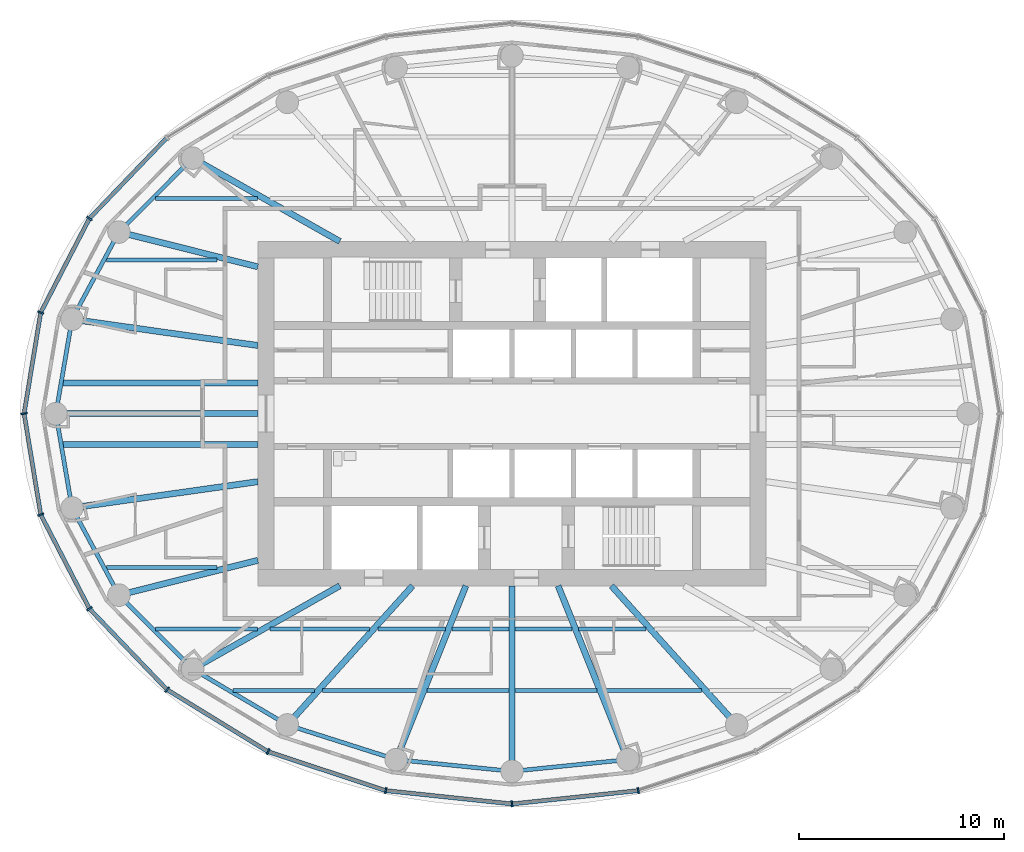
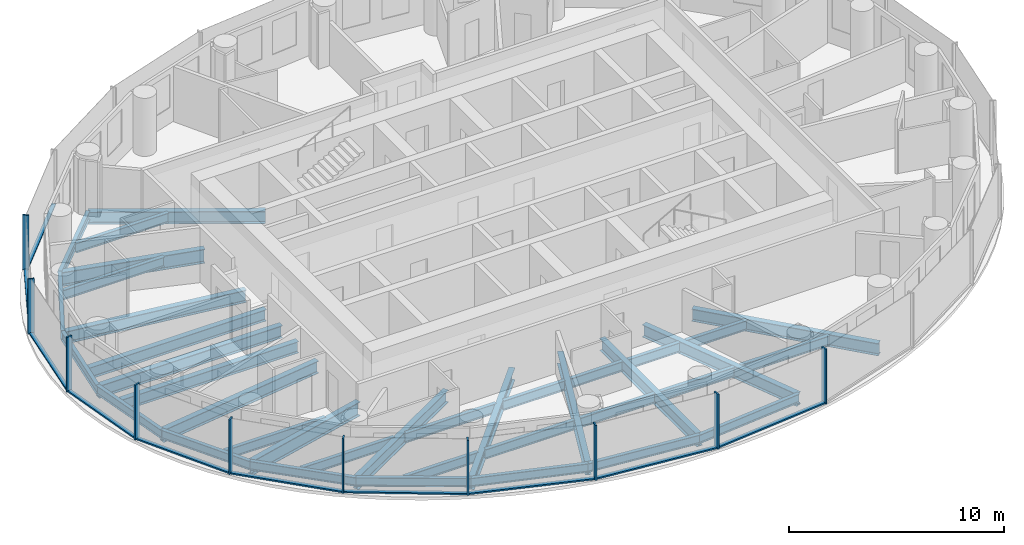
# One storey, part 2 of 16: 38 beams, 20 members, 3 elements without a shape of their own.
"""IFC4 building model written with IfcOpenShell, lengths in metres."""

from ifc_helpers import new_model, si_unit, direction, frame, origin, origin_2d, place, context, subcontext, project, spatial, rectangle, i_section, extrude, material, material_profile, profile_set, type_object, element, aggregate, save


model = new_model("IFC4")

# Units and contexts
model_context = context("Model", 3, precision=1e-05, world=origin(), true_north=direction((0.0, 1.0)))
body_context = subcontext(model_context, "Body", "Model", "MODEL_VIEW")
ifc_project = project(units=[si_unit("LENGTHUNIT", "METRE"), si_unit("AREAUNIT", "SQUARE_METRE"), si_unit("VOLUMEUNIT", "CUBIC_METRE"), si_unit("PLANEANGLEUNIT", "RADIAN"), si_unit("MASSUNIT", "GRAM", prefix="KILO")], contexts=[model_context])

# Site, building, storey
site_placement = place(None, origin())
site = spatial("IfcSite", under=ifc_project, at=site_placement, CompositionType="ELEMENT")
building_placement = place(site_placement, origin())
building = spatial("IfcBuilding", under=site, at=building_placement, Name="Hankou Lantern Tower", CompositionType="ELEMENT")
storey_placement = place(building_placement, frame((0.0, 0.0, 169.800048828125)))
storey = spatial("IfcBuildingStorey", under=building, at=storey_placement, Name="L45", CompositionType="ELEMENT", Elevation=169.800048828125)

# Beams
ifc_material_1 = material(Name="Steel Q355B", Category="steel")
ifc_material_profile_1 = material_profile(ifc_material_1, i_section(OverallWidth=0.199951171875, OverallDepth=0.5, WebThickness=0.010009765625, FlangeThickness=0.01611328125, FilletRadius=0.012939453125, at=origin_2d()), Name="HN500x200x10x16")
ifc_profile_set_1 = profile_set([ifc_material_profile_1], Name="Steel Q355B")
beam_type_1 = type_object("IfcBeamType", Name="EB5 RING BEAM HN500x200x10x16", PredefinedType="SPANDREL", material=ifc_profile_set_1)
beam_1_placement = place(storey_placement, frame((-15.576171875, 12.4609375, -0.429931640625), z_axis=(-0.706147278092, -0.708064984054, 0.0), x_axis=(0.708064984054, -0.706147278092, 0.0)))
element("IfcBeam", 1, at=beam_1_placement, inside=storey, type_object=beam_type_1, Name="Ring beam R10-R11 L45", PredefinedType="SPANDREL", context=body_context, shape_type="SweptSolid", body=[
    extrude(i_section(OverallWidth=0.199951171875, OverallDepth=0.5, WebThickness=0.010009765625, FlangeThickness=0.01611328125, FilletRadius=0.012939453125, at=origin_2d()), origin(), (0.0, 0.0, 1.0), 5.09228515625),
])
beam_2_placement = place(storey_placement, frame((-19.172119140625, 8.855224609375, -0.429931640625), z_axis=(-0.474051612334, -0.880497057828, 0.0), x_axis=(0.880497057828, -0.474051612334, 0.0)))
element("IfcBeam", 2, at=beam_2_placement, inside=storey, type_object=beam_type_1, Name="Ring beam R11-R12 L45", PredefinedType="SPANDREL", context=body_context, shape_type="SweptSolid", body=[
    extrude(i_section(OverallWidth=0.199951171875, OverallDepth=0.5, WebThickness=0.010009765625, FlangeThickness=0.01611328125, FilletRadius=0.012939453125, at=origin_2d()), origin(), (0.0, 0.0, 1.0), 4.831787109375),
])
for number, where, z_axis, x_axis, name in (
    (3, (-21.462646484375, 4.600830078125, -0.429931640625), (-0.168680718946, -0.985670743735, 0.0), (0.985670743735, -0.168680718946, 0.0), "Ring beam R12-R13 L45"),
    (4, (-22.25, 0.0, -0.429931640625), (0.168680718946, -0.985670743735, 0.0), (0.985670743735, 0.168680718946, 0.0), "Ring beam R13-R14 L45"),
):
    element("IfcBeam", number, at=place(storey_placement, frame(where, z_axis=z_axis, x_axis=x_axis)), inside=storey, type_object=beam_type_1, Name=name, PredefinedType="SPANDREL", context=body_context, shape_type="SweptSolid", body=[
        extrude(i_section(OverallWidth=0.199951171875, OverallDepth=0.5, WebThickness=0.010009765625, FlangeThickness=0.01611328125, FilletRadius=0.012939453125, at=origin_2d()), origin(), (0.0, 0.0, 1.0), 4.667724609375),
    ])
beam_3_placement = place(storey_placement, frame((-21.462646484375, -4.600830078125, -0.429931640625), z_axis=(0.474051612334, -0.880497057828, 0.0), x_axis=(0.880497057828, 0.474051612334, 0.0)))
element("IfcBeam", 5, at=beam_3_placement, inside=storey, type_object=beam_type_1, Name="Ring beam R14-R15 L45", PredefinedType="SPANDREL", context=body_context, shape_type="SweptSolid", body=[
    extrude(i_section(OverallWidth=0.199951171875, OverallDepth=0.5, WebThickness=0.010009765625, FlangeThickness=0.01611328125, FilletRadius=0.012939453125, at=origin_2d()), origin(), (0.0, 0.0, 1.0), 4.831787109375),
])
beam_4_placement = place(storey_placement, frame((-19.172119140625, -8.855224609375, -0.429931640625), z_axis=(0.706147278092, -0.708064984054, 0.0), x_axis=(0.708064984054, 0.706147278092, 0.0)))
element("IfcBeam", 6, at=beam_4_placement, inside=storey, type_object=beam_type_1, Name="Ring beam R15-R16 L45", PredefinedType="SPANDREL", context=body_context, shape_type="SweptSolid", body=[
    extrude(i_section(OverallWidth=0.199951171875, OverallDepth=0.5, WebThickness=0.010009765625, FlangeThickness=0.01611328125, FilletRadius=0.012939453125, at=origin_2d()), origin(), (0.0, 0.0, 1.0), 5.09228515625),
])
beam_5_placement = place(storey_placement, frame((-15.576171875, -12.4609375, -0.429931640625), z_axis=(0.861135888339, -0.508374843806, 0.0), x_axis=(0.508374843806, 0.861135888339, 0.0)))
element("IfcBeam", 7, at=beam_5_placement, inside=storey, type_object=beam_type_1, Name="Ring beam R16-R17 L45", PredefinedType="SPANDREL", context=body_context, shape_type="SweptSolid", body=[
    extrude(i_section(OverallWidth=0.199951171875, OverallDepth=0.5, WebThickness=0.010009765625, FlangeThickness=0.01611328125, FilletRadius=0.012939453125, at=origin_2d()), origin(), (0.0, 0.0, 1.0), 5.36083984375),
])
beam_6_placement = place(storey_placement, frame((-10.959716796875, -15.186279296875, -0.429931640625), z_axis=(0.952790404271, -0.30362879562, 0.0), x_axis=(0.30362879562, 0.952790404271, 0.0)))
element("IfcBeam", 8, at=beam_6_placement, inside=storey, type_object=beam_type_1, Name="Ring beam R17-R18 L45", PredefinedType="SPANDREL", context=body_context, shape_type="SweptSolid", body=[
    extrude(i_section(OverallWidth=0.199951171875, OverallDepth=0.5, WebThickness=0.010009765625, FlangeThickness=0.01611328125, FilletRadius=0.012939453125, at=origin_2d()), origin(), (0.0, 0.0, 1.0), 5.56982421875),
])
for number, where, z_axis, x_axis, name in (
    (9, (-5.65283203125, -16.87744140625, -0.429931640625), (0.9949104636, -0.100762936734, 0.0), (0.100762936734, 0.9949104636, 0.0), "Ring beam R18-R19 L45"),
    (10, (0.0, -17.449951171875, -0.429931640625), (0.9949104636, 0.100762936734, 0.0), (-0.100762936734, 0.9949104636, 0.0), "Ring beam R19-R20 L45"),
):
    element("IfcBeam", number, at=place(storey_placement, frame(where, z_axis=z_axis, x_axis=x_axis)), inside=storey, type_object=beam_type_1, Name=name, PredefinedType="SPANDREL", context=body_context, shape_type="SweptSolid", body=[
        extrude(i_section(OverallWidth=0.199951171875, OverallDepth=0.5, WebThickness=0.010009765625, FlangeThickness=0.01611328125, FilletRadius=0.012939453125, at=origin_2d()), origin(), (0.0, 0.0, 1.0), 5.681640625),
    ])

# Curtain wall, members
ifc_material_2 = material(Name="Glass, dark grey tinted laminated", Category="glass")
curtain_wall_type = type_object("IfcCurtainWallType", Name="CWC OUTER SKIN HIGH-RISE", PredefinedType="USERDEFINED", material=ifc_material_2)
curtain_wall_1_placement = place(storey_placement, origin())
curtain_wall_1 = element("IfcCurtainWall", 11, at=curtain_wall_1_placement, inside=storey, type_object=curtain_wall_type, Name="CWC L45 OS2", ObjectType="OUTER SKIN HIGH-RISE", PredefinedType="USERDEFINED")
ifc_material_3 = material(Name="Aluminium, black anodised", Category="aluminium")
ifc_material_profile_2 = material_profile(ifc_material_3, rectangle(XDim=0.080078125, YDim=0.300048828125, at=origin_2d()), Name="MU1 80X300")
ifc_profile_set_2 = profile_set([ifc_material_profile_2], Name="Aluminium, black anodised")
member_type_1 = type_object("IfcMemberType", Name="MU1 OUTER SKIN MULLION 80X300", PredefinedType="MULLION", material=ifc_profile_set_2)
member_1_placement = place(storey_placement, frame((-20.611328125, 9.52001953125, 0.0), z_axis=(0.0, 0.0, 1.0), x_axis=(-0.585205735974, -0.810884854084, 0.0)))
member_1 = element("IfcMember", 12, at=member_1_placement, type_object=member_type_1, Name="CWC mullion 5", PredefinedType="MULLION", context=body_context, shape_type="SweptSolid", body=[
    extrude(rectangle(XDim=0.080078125, YDim=0.300048828125, at=origin_2d()), origin(), (0.0, 0.0, 1.0), 3.119873046875),
])
member_2_placement = place(storey_placement, frame((-22.989013671875, 4.927978515625, 0.0), z_axis=(0.0, 0.0, 1.0), x_axis=(-0.317595577365, -0.94822626479, 0.0)))
member_2 = element("IfcMember", 13, at=member_2_placement, type_object=member_type_1, Name="CWC mullion 6", PredefinedType="MULLION", context=body_context, shape_type="SweptSolid", body=[
    extrude(rectangle(XDim=0.080078125, YDim=0.300048828125, at=origin_2d()), origin(), (0.0, 0.0, 1.0), 3.119873046875),
])

curtain_wall_2_placement = place(storey_placement, origin())
curtain_wall_2 = element("IfcCurtainWall", 14, at=curtain_wall_2_placement, inside=storey, type_object=curtain_wall_type, Name="CWC L45 OS3", ObjectType="OUTER SKIN HIGH-RISE", PredefinedType="USERDEFINED")
member_3_placement = place(storey_placement, frame((-23.800048828125, 0.0, 0.0), z_axis=(0.0, 0.0, 1.0), x_axis=(0.162381515188, -0.986728049427, 0.0)))
member_3 = element("IfcMember", 15, at=member_3_placement, type_object=member_type_1, Name="CWC mullion 1", PredefinedType="MULLION", context=body_context, shape_type="SweptSolid", body=[
    extrude(rectangle(XDim=0.080078125, YDim=0.300048828125, at=origin_2d()), origin(), (0.0, 0.0, 1.0), 3.119873046875),
])
member_4_placement = place(storey_placement, frame((-22.989013671875, -4.927978515625, 0.0), z_axis=(0.0, 0.0, 1.0), x_axis=(0.317595577365, -0.94822626479, 0.0)))
member_4 = element("IfcMember", 16, at=member_4_placement, type_object=member_type_1, Name="CWC mullion 2", PredefinedType="MULLION", context=body_context, shape_type="SweptSolid", body=[
    extrude(rectangle(XDim=0.080078125, YDim=0.300048828125, at=origin_2d()), origin(), (0.0, 0.0, 1.0), 3.119873046875),
])
member_5_placement = place(storey_placement, frame((-20.611328125, -9.52001953125, 0.0), z_axis=(0.0, 0.0, 1.0), x_axis=(0.585205735974, -0.810884854084, 0.0)))
member_5 = element("IfcMember", 17, at=member_5_placement, type_object=member_type_1, Name="CWC mullion 3", PredefinedType="MULLION", context=body_context, shape_type="SweptSolid", body=[
    extrude(rectangle(XDim=0.080078125, YDim=0.300048828125, at=origin_2d()), origin(), (0.0, 0.0, 1.0), 3.119873046875),
])
member_6_placement = place(storey_placement, frame((-16.8291015625, -13.46337890625, 0.0), z_axis=(0.0, 0.0, 1.0), x_axis=(0.780868809444, -0.624695047553, 0.0)))
member_6 = element("IfcMember", 18, at=member_6_placement, type_object=member_type_1, Name="CWC mullion 4", PredefinedType="MULLION", context=body_context, shape_type="SweptSolid", body=[
    extrude(rectangle(XDim=0.080078125, YDim=0.300048828125, at=origin_2d()), origin(), (0.0, 0.0, 1.0), 3.119873046875),
])
member_7_placement = place(storey_placement, frame((-11.89990234375, -16.489013671875, 0.0), z_axis=(0.0, 0.0, 1.0), x_axis=(0.907841299004, -0.419313934686, 0.0)))
member_7 = element("IfcMember", 19, at=member_7_placement, type_object=member_type_1, Name="CWC mullion 5", PredefinedType="MULLION", context=body_context, shape_type="SweptSolid", body=[
    extrude(rectangle(XDim=0.080078125, YDim=0.300048828125, at=origin_2d()), origin(), (0.0, 0.0, 1.0), 3.119873046875),
])
member_8_placement = place(storey_placement, frame((-6.159912109375, -18.39111328125, 0.0), z_axis=(0.0, 0.0, 1.0), x_axis=(0.977787659625, -0.209597931016, 0.0)))
member_8 = element("IfcMember", 20, at=member_8_placement, type_object=member_type_1, Name="CWC mullion 6", PredefinedType="MULLION", context=body_context, shape_type="SweptSolid", body=[
    extrude(rectangle(XDim=0.080078125, YDim=0.300048828125, at=origin_2d()), origin(), (0.0, 0.0, 1.0), 3.119873046875),
])

curtain_wall_3_placement = place(storey_placement, origin())
curtain_wall_3 = element("IfcCurtainWall", 21, at=curtain_wall_3_placement, inside=storey, type_object=curtain_wall_type, Name="CWC L45 OS4", ObjectType="OUTER SKIN HIGH-RISE", PredefinedType="USERDEFINED")
member_9_placement = place(storey_placement, frame((0.0, -19.0400390625, 0.0), z_axis=(0.0, 0.0, 1.0), x_axis=(0.994499359107, 0.104742659579, 0.0)))
member_9 = element("IfcMember", 22, at=member_9_placement, type_object=member_type_1, Name="CWC mullion 1", PredefinedType="MULLION", context=body_context, shape_type="SweptSolid", body=[
    extrude(rectangle(XDim=0.080078125, YDim=0.300048828125, at=origin_2d()), origin(), (0.0, 0.0, 1.0), 3.119873046875),
])
member_10_placement = place(storey_placement, frame((6.159912109375, -18.39111328125, 0.0), z_axis=(0.0, 0.0, 1.0), x_axis=(0.977787659625, 0.209597931016, 0.0)))
member_10 = element("IfcMember", 23, at=member_10_placement, type_object=member_type_1, Name="CWC mullion 2", PredefinedType="MULLION", context=body_context, shape_type="SweptSolid", body=[
    extrude(rectangle(XDim=0.080078125, YDim=0.300048828125, at=origin_2d()), origin(), (0.0, 0.0, 1.0), 3.119873046875),
])

# Beams
ifc_material_4 = material(Name="Steel Q355B", Category="steel")
ifc_material_profile_3 = material_profile(ifc_material_4, i_section(OverallWidth=0.300048828125, OverallDepth=0.800048828125, WebThickness=0.013916015625, FlangeThickness=0.02587890625, FilletRadius=0.01806640625, at=origin_2d()), Name="HN800x300x14x26")
ifc_profile_set_3 = profile_set([ifc_material_profile_3], Name="Steel Q355B")
beam_type_2 = type_object("IfcBeamType", Name="RB11 RADIAL BEAM HN800x300x14x26", PredefinedType="BEAM", material=ifc_profile_set_3)
for number, where, z_axis, x_axis, name in (
    (24, (-12.39990234375, 7.1591796875, -0.580078125), (-0.970041619568, 0.242938791274, 0.0), (-0.242938791274, -0.970041619568, 0.0), "Radial beam R11 L45"),
    (25, (-12.39990234375, -7.1591796875, -0.580078125), (-0.970041619568, -0.242938791274, 0.0), (0.242938791274, -0.970041619568, 0.0), "Radial beam R15 L45"),
):
    element("IfcBeam", number, at=place(storey_placement, frame(where, z_axis=z_axis, x_axis=x_axis)), inside=storey, type_object=beam_type_2, Name=name, PredefinedType="BEAM", context=body_context, shape_type="SweptSolid", body=[
        extrude(i_section(OverallWidth=0.300048828125, OverallDepth=0.800048828125, WebThickness=0.013916015625, FlangeThickness=0.02587890625, FilletRadius=0.01806640625, at=origin_2d()), origin(), (0.0, 0.0, 1.0), 6.9814453125),
    ])
ifc_material_5 = material(Name="Steel Q355B", Category="steel")
ifc_material_profile_4 = material_profile(ifc_material_5, i_section(OverallWidth=0.300048828125, OverallDepth=0.699951171875, WebThickness=0.012939453125, FlangeThickness=0.02392578125, FilletRadius=0.01806640625, at=origin_2d()), Name="HN700x300x13x24")
ifc_profile_set_4 = profile_set([ifc_material_profile_4], Name="Steel Q355B")
beam_type_3 = type_object("IfcBeamType", Name="RB9 RADIAL BEAM HN700x300x13x24", PredefinedType="BEAM", material=ifc_profile_set_4)
beam_7_placement = place(storey_placement, frame((-8.39990234375, 8.39990234375, -0.530029296875), z_axis=(-0.870309058024, 0.492505983234, 0.0), x_axis=(-0.492505983234, -0.870309058024, 0.0)))
element("IfcBeam", 26, at=beam_7_placement, inside=storey, type_object=beam_type_3, Name="Radial beam R10 L45", PredefinedType="BEAM", context=body_context, shape_type="SweptSolid", body=[
    extrude(i_section(OverallWidth=0.300048828125, OverallDepth=0.699951171875, WebThickness=0.012939453125, FlangeThickness=0.02392578125, FilletRadius=0.01806640625, at=origin_2d()), origin(), (0.0, 0.0, 1.0), 8.24560546875),
])
beam_8_placement = place(storey_placement, frame((-12.39990234375, 3.322509765625, -0.530029296875), z_axis=(-0.990198154617, 0.13966966239, 0.0), x_axis=(-0.13966966239, -0.990198154617, 0.0)))
element("IfcBeam", 27, at=beam_8_placement, inside=storey, type_object=beam_type_3, Name="Radial beam R12 L45", PredefinedType="BEAM", context=body_context, shape_type="SweptSolid", body=[
    extrude(i_section(OverallWidth=0.300048828125, OverallDepth=0.699951171875, WebThickness=0.012939453125, FlangeThickness=0.02392578125, FilletRadius=0.01806640625, at=origin_2d()), origin(), (0.0, 0.0, 1.0), 9.15234375),
])
beam_9_placement = place(storey_placement, frame((-12.39990234375, 0.0, -0.530029296875), z_axis=(-1.0, 0.0, 0.0), x_axis=(0.0, -1.0, 0.0)))
element("IfcBeam", 28, at=beam_9_placement, inside=storey, type_object=beam_type_3, Name="Radial beam R13 L45", PredefinedType="BEAM", context=body_context, shape_type="SweptSolid", body=[
    extrude(i_section(OverallWidth=0.300048828125, OverallDepth=0.699951171875, WebThickness=0.012939453125, FlangeThickness=0.02392578125, FilletRadius=0.01806640625, at=origin_2d()), origin(), (0.0, 0.0, 1.0), 9.85009765625),
])
beam_10_placement = place(storey_placement, frame((-12.39990234375, -3.322509765625, -0.530029296875), z_axis=(-0.990198154617, -0.13966966239, 0.0), x_axis=(0.13966966239, -0.990198154617, 0.0)))
element("IfcBeam", 29, at=beam_10_placement, inside=storey, type_object=beam_type_3, Name="Radial beam R14 L45", PredefinedType="BEAM", context=body_context, shape_type="SweptSolid", body=[
    extrude(i_section(OverallWidth=0.300048828125, OverallDepth=0.699951171875, WebThickness=0.012939453125, FlangeThickness=0.02392578125, FilletRadius=0.01806640625, at=origin_2d()), origin(), (0.0, 0.0, 1.0), 9.15234375),
])
beam_11_placement = place(storey_placement, frame((-8.39990234375, -8.39990234375, -0.530029296875), z_axis=(-0.870309058024, -0.492505983234, 0.0), x_axis=(0.492505983234, -0.870309058024, 0.0)))
element("IfcBeam", 30, at=beam_11_placement, inside=storey, type_object=beam_type_3, Name="Radial beam R16 L45", PredefinedType="BEAM", context=body_context, shape_type="SweptSolid", body=[
    extrude(i_section(OverallWidth=0.300048828125, OverallDepth=0.699951171875, WebThickness=0.012939453125, FlangeThickness=0.02392578125, FilletRadius=0.01806640625, at=origin_2d()), origin(), (0.0, 0.0, 1.0), 8.24560546875),
])
beam_12_placement = place(storey_placement, frame((-4.849853515625, -8.39990234375, -0.530029296875), z_axis=(-0.669093231314, -0.743178476418, 0.0), x_axis=(0.743178476418, -0.669093231314, 0.0)))
element("IfcBeam", 31, at=beam_12_placement, inside=storey, type_object=beam_type_3, Name="Radial beam R17 L45", PredefinedType="BEAM", context=body_context, shape_type="SweptSolid", body=[
    extrude(i_section(OverallWidth=0.300048828125, OverallDepth=0.699951171875, WebThickness=0.012939453125, FlangeThickness=0.02392578125, FilletRadius=0.01806640625, at=origin_2d()), origin(), (0.0, 0.0, 1.0), 9.131591796875),
])
beam_13_placement = place(storey_placement, frame((-2.250732421875, -8.39990234375, -0.530029296875), z_axis=(-0.372436468133, -0.928057690666, 0.0), x_axis=(0.928057690666, -0.372436468133, 0.0)))
element("IfcBeam", 32, at=beam_13_placement, inside=storey, type_object=beam_type_3, Name="Radial beam R18 L45", PredefinedType="BEAM", context=body_context, shape_type="SweptSolid", body=[
    extrude(i_section(OverallWidth=0.300048828125, OverallDepth=0.699951171875, WebThickness=0.012939453125, FlangeThickness=0.02392578125, FilletRadius=0.01806640625, at=origin_2d()), origin(), (0.0, 0.0, 1.0), 9.134765625),
])
beam_14_placement = place(storey_placement, frame((0.0, -8.39990234375, -0.530029296875), z_axis=(0.0, -1.0, 0.0), x_axis=(1.0, 0.0, 0.0)))
element("IfcBeam", 33, at=beam_14_placement, inside=storey, type_object=beam_type_3, Name="Radial beam R19 L45", PredefinedType="BEAM", context=body_context, shape_type="SweptSolid", body=[
    extrude(i_section(OverallWidth=0.300048828125, OverallDepth=0.699951171875, WebThickness=0.012939453125, FlangeThickness=0.02392578125, FilletRadius=0.01806640625, at=origin_2d()), origin(), (0.0, 0.0, 1.0), 9.050048828125),
])
beam_15_placement = place(storey_placement, frame((2.250732421875, -8.39990234375, -0.530029296875), z_axis=(0.372436468133, -0.928057690666, 0.0), x_axis=(0.928057690666, 0.372436468133, 0.0)))
element("IfcBeam", 34, at=beam_15_placement, inside=storey, type_object=beam_type_3, Name="Radial beam R20 L45", PredefinedType="BEAM", context=body_context, shape_type="SweptSolid", body=[
    extrude(i_section(OverallWidth=0.300048828125, OverallDepth=0.699951171875, WebThickness=0.012939453125, FlangeThickness=0.02392578125, FilletRadius=0.01806640625, at=origin_2d()), origin(), (0.0, 0.0, 1.0), 9.134765625),
])
beam_16_placement = place(storey_placement, frame((4.849853515625, -8.39990234375, -0.530029296875), z_axis=(0.669093231314, -0.743178476418, 0.0), x_axis=(0.743178476418, 0.669093231314, 0.0)))
element("IfcBeam", 35, at=beam_16_placement, inside=storey, type_object=beam_type_3, Name="Radial beam R21 L45", PredefinedType="BEAM", context=body_context, shape_type="SweptSolid", body=[
    extrude(i_section(OverallWidth=0.300048828125, OverallDepth=0.699951171875, WebThickness=0.012939453125, FlangeThickness=0.02392578125, FilletRadius=0.01806640625, at=origin_2d()), origin(), (0.0, 0.0, 1.0), 9.131591796875),
])
ifc_material_6 = material(Name="Steel Q355B", Category="steel")
ifc_material_profile_5 = material_profile(ifc_material_6, i_section(OverallWidth=0.199951171875, OverallDepth=0.550048828125, WebThickness=0.010009765625, FlangeThickness=0.01611328125, FilletRadius=0.012939453125, at=origin_2d()), Name="HN550x200x10x16")
ifc_profile_set_5 = profile_set([ifc_material_profile_5], Name="Steel Q355B")
beam_type_4 = type_object("IfcBeamType", Name="SB6 SECONDARY BEAM HN550x200x10x16", PredefinedType="JOIST", material=ifc_profile_set_5)
beam_17_placement = place(storey_placement, frame((-13.619384765625, -13.5, -0.455078125), z_axis=(1.0, 0.0, 0.0), x_axis=(0.0, 1.0, 0.0)))
element("IfcBeam", 36, at=beam_17_placement, inside=storey, type_object=beam_type_4, Name="Floor joist J001 L45", PredefinedType="JOIST", context=body_context, shape_type="SweptSolid", body=[
    extrude(i_section(OverallWidth=0.199951171875, OverallDepth=0.550048828125, WebThickness=0.010009765625, FlangeThickness=0.01611328125, FilletRadius=0.012939453125, at=origin_2d()), origin(), (0.0, 0.0, 1.0), 3.97607421875),
])
beam_18_placement = place(storey_placement, frame((-9.23974609375, -13.5, -0.455078125), z_axis=(1.0, 0.0, 0.0), x_axis=(0.0, 1.0, 0.0)))
element("IfcBeam", 37, at=beam_18_placement, inside=storey, type_object=beam_type_4, Name="Floor joist J002 L45", PredefinedType="JOIST", context=body_context, shape_type="SweptSolid", body=[
    extrude(i_section(OverallWidth=0.199951171875, OverallDepth=0.550048828125, WebThickness=0.010009765625, FlangeThickness=0.01611328125, FilletRadius=0.012939453125, at=origin_2d()), origin(), (0.0, 0.0, 1.0), 4.780517578125),
])
for number, where, z_axis, x_axis, name in (
    (38, (-4.135986328125, -13.5, -0.455078125), (1.0, 0.0, 0.0), (0.0, 1.0, 0.0), "Floor joist J003 L45"),
    (39, (0.14990234375, -13.5, -0.455078125), (1.0, 0.0, 0.0), (0.0, 1.0, 0.0), "Floor joist J004 L45"),
):
    element("IfcBeam", number, at=place(storey_placement, frame(where, z_axis=z_axis, x_axis=x_axis)), inside=storey, type_object=beam_type_4, Name=name, PredefinedType="JOIST", context=body_context, shape_type="SweptSolid", body=[
        extrude(i_section(OverallWidth=0.199951171875, OverallDepth=0.550048828125, WebThickness=0.010009765625, FlangeThickness=0.01611328125, FilletRadius=0.012939453125, at=origin_2d()), origin(), (0.0, 0.0, 1.0), 3.986083984375),
    ])
beam_19_placement = place(storey_placement, frame((4.459228515625, -13.5, -0.455078125), z_axis=(1.0, 0.0, 0.0), x_axis=(0.0, 1.0, 0.0)))
element("IfcBeam", 40, at=beam_19_placement, inside=storey, type_object=beam_type_4, Name="Floor joist J005 L45", PredefinedType="JOIST", context=body_context, shape_type="SweptSolid", body=[
    extrude(i_section(OverallWidth=0.199951171875, OverallDepth=0.550048828125, WebThickness=0.010009765625, FlangeThickness=0.01611328125, FilletRadius=0.012939453125, at=origin_2d()), origin(), (0.0, 0.0, 1.0), 4.780517578125),
])
beam_20_placement = place(storey_placement, frame((-17.390625, -10.5, -0.455078125), z_axis=(1.0, 0.0, 0.0), x_axis=(0.0, 1.0, 0.0)))
element("IfcBeam", 41, at=beam_20_placement, inside=storey, type_object=beam_type_4, Name="Floor joist J007 L45", PredefinedType="JOIST", context=body_context, shape_type="SweptSolid", body=[
    extrude(i_section(OverallWidth=0.199951171875, OverallDepth=0.550048828125, WebThickness=0.010009765625, FlangeThickness=0.01611328125, FilletRadius=0.012939453125, at=origin_2d()), origin(), (0.0, 0.0, 1.0), 4.97509765625),
])
beam_21_placement = place(storey_placement, frame((-11.806396484375, -10.5, -0.455078125), z_axis=(1.0, 0.0, 0.0), x_axis=(0.0, 1.0, 0.0)))
element("IfcBeam", 42, at=beam_21_placement, inside=storey, type_object=beam_type_4, Name="Floor joist J008 L45", PredefinedType="JOIST", context=body_context, shape_type="SweptSolid", body=[
    extrude(i_section(OverallWidth=0.199951171875, OverallDepth=0.550048828125, WebThickness=0.010009765625, FlangeThickness=0.01611328125, FilletRadius=0.012939453125, at=origin_2d()), origin(), (0.0, 0.0, 1.0), 4.864013671875),
])
beam_22_placement = place(storey_placement, frame((-6.53857421875, -10.5, -0.455078125), z_axis=(1.0, 0.0, 0.0), x_axis=(0.0, 1.0, 0.0)))
element("IfcBeam", 43, at=beam_22_placement, inside=storey, type_object=beam_type_4, Name="Floor joist J009 L45", PredefinedType="JOIST", context=body_context, shape_type="SweptSolid", body=[
    extrude(i_section(OverallWidth=0.199951171875, OverallDepth=0.550048828125, WebThickness=0.010009765625, FlangeThickness=0.01611328125, FilletRadius=0.012939453125, at=origin_2d()), origin(), (0.0, 0.0, 1.0), 3.283447265625),
])
for number, where, z_axis, x_axis, name in (
    (44, (-2.931884765625, -10.5, -0.455078125), (1.0, 0.0, 0.0), (0.0, 1.0, 0.0), "Floor joist J010 L45"),
    (45, (0.14990234375, -10.5, -0.455078125), (1.0, 0.0, 0.0), (0.0, 1.0, 0.0), "Floor joist J011 L45"),
):
    element("IfcBeam", number, at=place(storey_placement, frame(where, z_axis=z_axis, x_axis=x_axis)), inside=storey, type_object=beam_type_4, Name=name, PredefinedType="JOIST", context=body_context, shape_type="SweptSolid", body=[
        extrude(i_section(OverallWidth=0.199951171875, OverallDepth=0.550048828125, WebThickness=0.010009765625, FlangeThickness=0.01611328125, FilletRadius=0.012939453125, at=origin_2d()), origin(), (0.0, 0.0, 1.0), 2.781982421875),
    ])
beam_23_placement = place(storey_placement, frame((3.255126953125, -10.5, -0.455078125), z_axis=(1.0, 0.0, 0.0), x_axis=(0.0, 1.0, 0.0)))
element("IfcBeam", 46, at=beam_23_placement, inside=storey, type_object=beam_type_4, Name="Floor joist J012 L45", PredefinedType="JOIST", context=body_context, shape_type="SweptSolid", body=[
    extrude(i_section(OverallWidth=0.199951171875, OverallDepth=0.550048828125, WebThickness=0.010009765625, FlangeThickness=0.01611328125, FilletRadius=0.012939453125, at=origin_2d()), origin(), (0.0, 0.0, 1.0), 3.283447265625),
])
for number, where, z_axis, x_axis, name in (
    (47, (-19.788330078125, -7.5, -0.455078125), (1.0, 0.0, 0.0), (0.0, 1.0, 0.0), "Floor joist J015 L45"),
    (48, (-19.788330078125, 7.5, -0.455078125), (1.0, 0.0, 0.0), (0.0, 1.0, 0.0), "Floor joist J025 L45"),
):
    element("IfcBeam", number, at=place(storey_placement, frame(where, z_axis=z_axis, x_axis=x_axis)), inside=storey, type_object=beam_type_4, Name=name, PredefinedType="JOIST", context=body_context, shape_type="SweptSolid", body=[
        extrude(i_section(OverallWidth=0.199951171875, OverallDepth=0.550048828125, WebThickness=0.010009765625, FlangeThickness=0.01611328125, FilletRadius=0.012939453125, at=origin_2d()), origin(), (0.0, 0.0, 1.0), 5.409912109375),
    ])
beam_24_placement = place(storey_placement, frame((-17.390625, 10.5, -0.455078125), z_axis=(1.0, 0.0, 0.0), x_axis=(0.0, 1.0, 0.0)))
element("IfcBeam", 49, at=beam_24_placement, inside=storey, type_object=beam_type_4, Name="Floor joist J027 L45", PredefinedType="JOIST", context=body_context, shape_type="SweptSolid", body=[
    extrude(i_section(OverallWidth=0.199951171875, OverallDepth=0.550048828125, WebThickness=0.010009765625, FlangeThickness=0.01611328125, FilletRadius=0.012939453125, at=origin_2d()), origin(), (0.0, 0.0, 1.0), 4.97509765625),
])
ifc_material_7 = material(Name="Steel Q355B", Category="steel")
ifc_material_profile_6 = material_profile(ifc_material_7, i_section(OverallWidth=0.300048828125, OverallDepth=0.64990234375, WebThickness=0.010986328125, FlangeThickness=0.01708984375, FilletRadius=0.01806640625, at=origin_2d()), Name="HN650x300x11x17")
ifc_profile_set_6 = profile_set([ifc_material_profile_6], Name="Steel Q355B")
beam_type_5 = type_object("IfcBeamType", Name="SB8 SECONDARY BEAM HN650x300x11x17", PredefinedType="JOIST", material=ifc_profile_set_6)
for number, where, z_axis, x_axis, name in (
    (50, (-21.891845703125, -1.5, -0.505126953125), (1.0, 0.0, 0.0), (0.0, 1.0, 0.0), "Floor joist J019 L45"),
    (51, (-21.891845703125, 1.5, -0.505126953125), (1.0, 0.0, 0.0), (0.0, 1.0, 0.0), "Floor joist J021 L45"),
):
    element("IfcBeam", number, at=place(storey_placement, frame(where, z_axis=z_axis, x_axis=x_axis)), inside=storey, type_object=beam_type_5, Name=name, PredefinedType="JOIST", context=body_context, shape_type="SweptSolid", body=[
        extrude(i_section(OverallWidth=0.300048828125, OverallDepth=0.64990234375, WebThickness=0.010986328125, FlangeThickness=0.01708984375, FilletRadius=0.01806640625, at=origin_2d()), origin(), (0.0, 0.0, 1.0), 9.491943359375),
    ])

# Member
ifc_material_8 = material(Name="Aluminium, black anodised", Category="aluminium")
ifc_material_profile_7 = material_profile(ifc_material_8, rectangle(XDim=0.199951171875, YDim=0.080078125, at=origin_2d()), Name="TR1 200X80")
ifc_profile_set_7 = profile_set([ifc_material_profile_7], Name="Aluminium, black anodised")
member_type_2 = type_object("IfcMemberType", Name="TR1 OUTER SKIN TRANSOM 200X80", PredefinedType="USERDEFINED", material=ifc_profile_set_7)
member_11_placement = place(storey_placement, frame((-16.85693359375, 13.434326171875, 0.0400390625), z_axis=(-0.692215543831, -0.721690820836, 0.0), x_axis=(0.721690820836, -0.692215543831, 0.0)))
member_11 = element("IfcMember", 52, at=member_11_placement, type_object=member_type_2, Name="CWC transom 4", ObjectType="TRANSOM", PredefinedType="USERDEFINED", context=body_context, shape_type="SweptSolid", body=[
    extrude(rectangle(XDim=0.199951171875, YDim=0.080078125, at=origin_2d()), origin(), (0.0, 0.0, 1.0), 5.3837890625),
])

member_12_placement = place(storey_placement, frame((-20.6298828125, 9.484375, 0.0400390625), z_axis=(-0.459790772977, -0.888027277219, 0.0), x_axis=(0.888027277219, -0.459790772977, 0.0)))
member_12 = element("IfcMember", 53, at=member_12_placement, type_object=member_type_2, Name="CWC transom 5", ObjectType="TRANSOM", PredefinedType="USERDEFINED", context=body_context, shape_type="SweptSolid", body=[
    extrude(rectangle(XDim=0.199951171875, YDim=0.080078125, at=origin_2d()), origin(), (0.0, 0.0, 1.0), 5.091064453125),
])

member_13_placement = place(storey_placement, frame((-22.99560546875, 4.888427734375, 0.0400390625), z_axis=(-0.162360337061, -0.986731534385, 0.0), x_axis=(0.986731534385, -0.162360337061, 0.0)))
member_13 = element("IfcMember", 54, at=member_13_placement, type_object=member_type_2, Name="CWC transom 6", ObjectType="TRANSOM", PredefinedType="USERDEFINED", context=body_context, shape_type="SweptSolid", body=[
    extrude(rectangle(XDim=0.199951171875, YDim=0.080078125, at=origin_2d()), origin(), (0.0, 0.0, 1.0), 4.9140625),
])

aggregate(curtain_wall_1, [member_1, member_2, member_11, member_12, member_13])

member_14_placement = place(storey_placement, frame((-23.79345703125, -0.03955078125, 0.0400390625), z_axis=(0.162360337061, -0.986731534385, 0.0), x_axis=(0.986731534385, 0.162360337061, 0.0)))
member_14 = element("IfcMember", 55, at=member_14_placement, type_object=member_type_2, Name="CWC transom 1", ObjectType="TRANSOM", PredefinedType="USERDEFINED", context=body_context, shape_type="SweptSolid", body=[
    extrude(rectangle(XDim=0.199951171875, YDim=0.080078125, at=origin_2d()), origin(), (0.0, 0.0, 1.0), 4.9140625),
])

member_15_placement = place(storey_placement, frame((-22.970703125, -4.96337890625, 0.0400390625), z_axis=(0.459790772977, -0.888027277219, 0.0), x_axis=(0.888027277219, 0.459790772977, 0.0)))
member_15 = element("IfcMember", 56, at=member_15_placement, type_object=member_type_2, Name="CWC transom 2", ObjectType="TRANSOM", PredefinedType="USERDEFINED", context=body_context, shape_type="SweptSolid", body=[
    extrude(rectangle(XDim=0.199951171875, YDim=0.080078125, at=origin_2d()), origin(), (0.0, 0.0, 1.0), 5.091064453125),
])

member_16_placement = place(storey_placement, frame((-20.583740234375, -9.548828125, 0.0400390625), z_axis=(0.692215543831, -0.721690820836, 0.0), x_axis=(0.721690820836, 0.692215543831, 0.0)))
member_16 = element("IfcMember", 57, at=member_16_placement, type_object=member_type_2, Name="CWC transom 3", ObjectType="TRANSOM", PredefinedType="USERDEFINED", context=body_context, shape_type="SweptSolid", body=[
    extrude(rectangle(XDim=0.199951171875, YDim=0.080078125, at=origin_2d()), origin(), (0.0, 0.0, 1.0), 5.3837890625),
])

member_17_placement = place(storey_placement, frame((-16.795166015625, -13.484130859375, 0.0400390625), z_axis=(0.852229482357, -0.523168146394, 0.0), x_axis=(0.523168146394, 0.852229482357, 0.0)))
member_17 = element("IfcMember", 58, at=member_17_placement, type_object=member_type_2, Name="CWC transom 4", ObjectType="TRANSOM", PredefinedType="USERDEFINED", context=body_context, shape_type="SweptSolid", body=[
    extrude(rectangle(XDim=0.199951171875, YDim=0.080078125, at=origin_2d()), origin(), (0.0, 0.0, 1.0), 5.703857421875),
])

member_18_placement = place(storey_placement, frame((-11.862060546875, -16.501708984375, 0.0400390625), z_axis=(0.949242327551, -0.314545709849, 0.0), x_axis=(0.314545709849, 0.949242327551, 0.0)))
member_18 = element("IfcMember", 59, at=member_18_placement, type_object=member_type_2, Name="CWC transom 5", ObjectType="TRANSOM", PredefinedType="USERDEFINED", context=body_context, shape_type="SweptSolid", body=[
    extrude(rectangle(XDim=0.199951171875, YDim=0.080078125, at=origin_2d()), origin(), (0.0, 0.0, 1.0), 5.96728515625),
])

member_19_placement = place(storey_placement, frame((-6.1201171875, -18.3955078125, 0.0400390625), z_axis=(0.994499543631, -0.104740907567, 0.0), x_axis=(0.104740907567, 0.994499543631, 0.0)))
member_19 = element("IfcMember", 60, at=member_19_placement, type_object=member_type_2, Name="CWC transom 6", ObjectType="TRANSOM", PredefinedType="USERDEFINED", context=body_context, shape_type="SweptSolid", body=[
    extrude(rectangle(XDim=0.199951171875, YDim=0.080078125, at=origin_2d()), origin(), (0.0, 0.0, 1.0), 6.114013671875),
])

aggregate(curtain_wall_2, [member_3, member_4, member_5, member_6, member_7, member_8, member_14, member_15, member_16, member_17, member_18, member_19])

member_20_placement = place(storey_placement, frame((0.039794921875, -19.035888671875, 0.0400390625), z_axis=(0.994499543631, 0.104740907567, 0.0), x_axis=(-0.104740907567, 0.994499543631, 0.0)))
member_20 = element("IfcMember", 61, at=member_20_placement, type_object=member_type_2, Name="CWC transom 1", ObjectType="TRANSOM", PredefinedType="USERDEFINED", context=body_context, shape_type="SweptSolid", body=[
    extrude(rectangle(XDim=0.199951171875, YDim=0.080078125, at=origin_2d()), origin(), (0.0, 0.0, 1.0), 6.114013671875),
])

aggregate(curtain_wall_3, [member_9, member_10, member_20])

save(model, "model.ifc")
